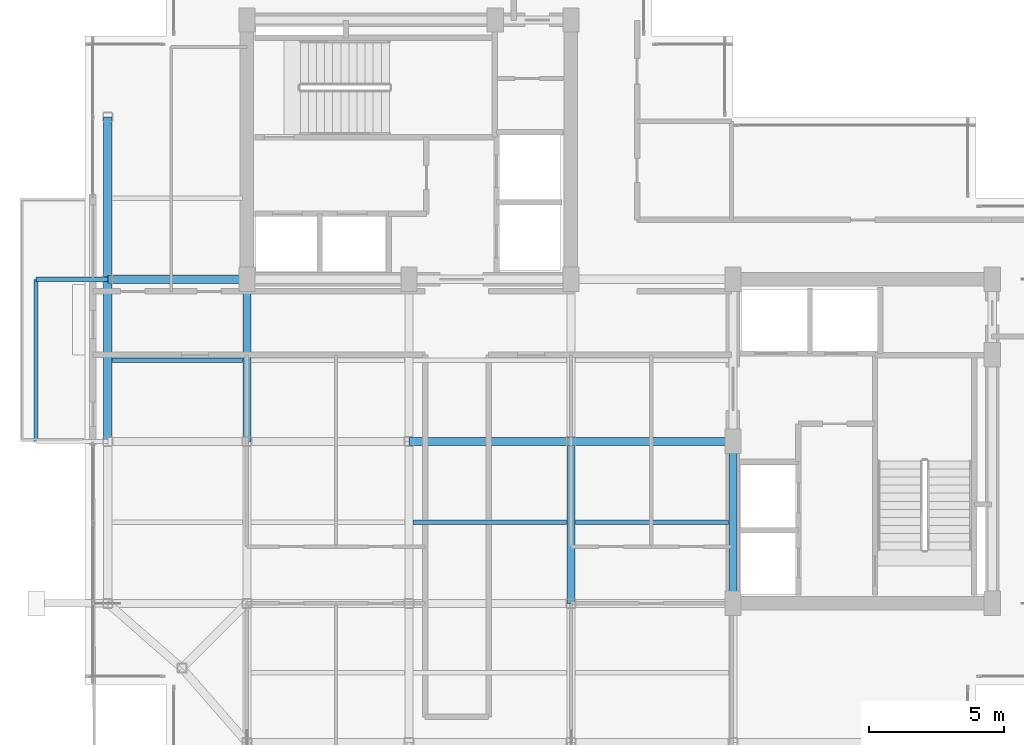
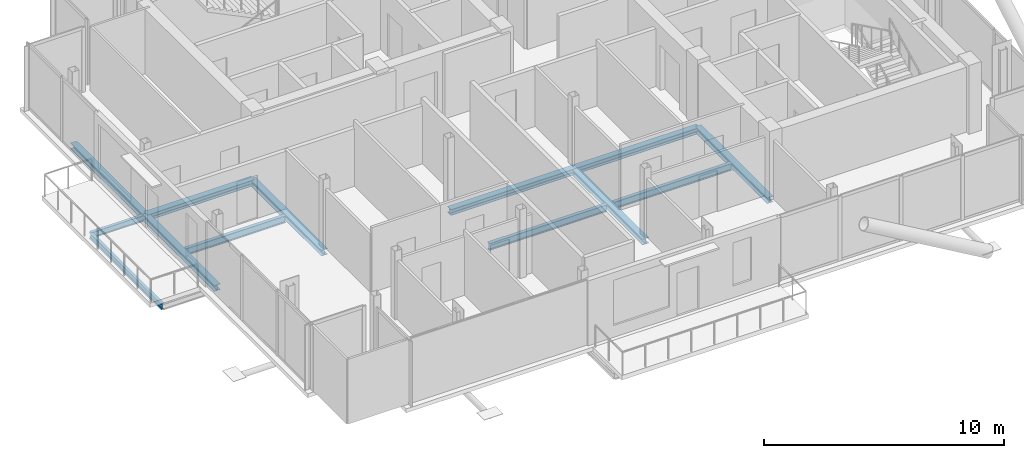
# One storey, part 6 of 18: 13 beams.
"""IFC4 building model written with IfcOpenShell, lengths in metres."""

from ifc_helpers import new_model, si_unit, direction, frame, origin, origin_2d, place, context, subcontext, project, spatial, i_section, extrude, material, material_profile, profile_set, type_object, element, save


model = new_model("IFC4")

# Units and contexts
model_context = context("Model", 3, precision=1e-05, world=origin(), true_north=direction((0.0, 1.0)))
body_context = subcontext(model_context, "Body", "Model", "MODEL_VIEW")
ifc_project = project(units=[si_unit("LENGTHUNIT", "METRE"), si_unit("AREAUNIT", "SQUARE_METRE"), si_unit("VOLUMEUNIT", "CUBIC_METRE"), si_unit("PLANEANGLEUNIT", "RADIAN"), si_unit("MASSUNIT", "GRAM", prefix="KILO"), si_unit("THERMODYNAMICTEMPERATUREUNIT", "KELVIN"), si_unit("POWERUNIT", "WATT")], contexts=[model_context])

# Site, building, storey
site_placement = place(None, origin())
site = spatial("IfcSite", under=ifc_project, at=site_placement, CompositionType="ELEMENT")
building_placement = place(site_placement, origin())
building = spatial("IfcBuilding", under=site, at=building_placement, Name="Svarakhadi Broadcast Tower", CompositionType="ELEMENT")
storey_placement = place(building_placement, frame((0.0, 0.0, 250.199951171875)))
storey = spatial("IfcBuildingStorey", under=building, at=storey_placement, Name="L62", CompositionType="ELEMENT", Elevation=250.199951171875)

# Beams
ifc_material = material(Name="Steel S355J2 (IS 2062 E350C)", Category="steel")
ifc_material_profile_1 = material_profile(ifc_material, i_section(OverallWidth=0.169921875, OverallDepth=0.360107421875, WebThickness=0.008056640625, FlangeThickness=0.0126953125, FilletRadius=0.01806640625, at=origin_2d()), Name="NPB 360x170x57")
ifc_profile_set_1 = profile_set([ifc_material_profile_1], Name="Steel S355J2 (IS 2062 E350C)")
beam_type_1 = type_object("IfcBeamType", Name="Beam_NPB360", PredefinedType="BEAM", material=ifc_profile_set_1)
beam_1_placement = place(storey_placement, frame((1.010009765625, 15.0, -0.3798828125), z_axis=(1.0, 0.0, 0.0), x_axis=(0.0, 1.0, 0.0)))
element("IfcBeam", 1, at=beam_1_placement, inside=storey, type_object=beam_type_1, Name="L62 Secondary Composite Beam SB002", PredefinedType="BEAM", context=body_context, shape_type="SweptSolid", body=[
    extrude(i_section(OverallWidth=0.169921875, OverallDepth=0.360107421875, WebThickness=0.008056640625, FlangeThickness=0.0126953125, FilletRadius=0.01806640625, at=origin_2d()), origin(), (0.0, 0.0, 1.0), 4.830078125),
])
for number, where, z_axis, x_axis, name in (
    (2, (12.159912109375, 9.0, -0.3798828125), (1.0, 0.0, 0.0), (0.0, 1.0, 0.0), "L62 Secondary Composite Beam SB008"),
    (3, (18.159912109375, 9.0, -0.3798828125), (1.0, 0.0, 0.0), (0.0, 1.0, 0.0), "L62 Secondary Composite Beam SB011"),
):
    element("IfcBeam", number, at=place(storey_placement, frame(where, z_axis=z_axis, x_axis=x_axis)), inside=storey, type_object=beam_type_1, Name=name, PredefinedType="BEAM", context=body_context, shape_type="SweptSolid", body=[
        extrude(i_section(OverallWidth=0.169921875, OverallDepth=0.360107421875, WebThickness=0.008056640625, FlangeThickness=0.0126953125, FilletRadius=0.01806640625, at=origin_2d()), origin(), (0.0, 0.0, 1.0), 5.68017578125),
    ])
ifc_material_profile_2 = material_profile(ifc_material, i_section(OverallWidth=0.300048828125, OverallDepth=0.300048828125, WebThickness=0.010986328125, FlangeThickness=0.01904296875, FilletRadius=0.027099609375, at=origin_2d()), Name="WPB 300x300x117")
ifc_profile_set_2 = profile_set([ifc_material_profile_2], Name="Steel S355J2 (IS 2062 E350C)")
beam_type_2 = type_object("IfcBeamType", Name="Girder_WPB300", PredefinedType="USERDEFINED", material=ifc_profile_set_2)
for number, where, z_axis, x_axis, name in (
    (4, (12.0, 12.0, -0.349853515625), (1.0, 0.0, 0.0), (0.0, 1.0, 0.0), "L62 Primary E-W Girder G015"),
    (5, (18.0, 12.0, -0.349853515625), (1.0, 0.0, 0.0), (0.0, 1.0, 0.0), "L62 Primary E-W Girder G016"),
):
    element("IfcBeam", number, at=place(storey_placement, frame(where, z_axis=z_axis, x_axis=x_axis)), inside=storey, type_object=beam_type_2, Name=name, ObjectType="GIRDER", PredefinedType="USERDEFINED", context=body_context, shape_type="SweptSolid", body=[
        extrude(i_section(OverallWidth=0.300048828125, OverallDepth=0.300048828125, WebThickness=0.010986328125, FlangeThickness=0.01904296875, FilletRadius=0.027099609375, at=origin_2d()), origin(), (0.0, 0.0, 1.0), 6.0),
    ])
beam_2_placement = place(storey_placement, frame((0.85009765625, 18.0, -0.349853515625), z_axis=(1.0, 0.0, 0.0), x_axis=(0.0, 1.0, 0.0)))
element("IfcBeam", 6, at=beam_2_placement, inside=storey, type_object=beam_type_2, Name="L62 Primary E-W Girder G017", ObjectType="GIRDER", PredefinedType="USERDEFINED", context=body_context, shape_type="SweptSolid", body=[
    extrude(i_section(OverallWidth=0.300048828125, OverallDepth=0.300048828125, WebThickness=0.010986328125, FlangeThickness=0.01904296875, FilletRadius=0.027099609375, at=origin_2d()), origin(), (0.0, 0.0, 1.0), 5.14990234375),
])
for number, where, z_axis, x_axis, name in (
    (7, (0.85009765625, 12.0, -0.349853515625), (0.0, 1.0, 0.0), (-1.0, 0.0, 0.0), "L62 Primary N-S Girder G027"),
    (8, (0.85009765625, 18.0, -0.349853515625), (0.0, 1.0, 0.0), (-1.0, 0.0, 0.0), "L62 Primary N-S Girder G028"),
    (9, (6.0, 12.0, -0.349853515625), (0.0, 1.0, 0.0), (-1.0, 0.0, 0.0), "L62 Primary N-S Girder G031"),
    (10, (18.0, 6.0, -0.349853515625), (0.0, 1.0, 0.0), (-1.0, 0.0, 0.0), "L62 Primary N-S Girder G037"),
    (11, (24.0, 6.0, -0.349853515625), (0.0, 1.0, 0.0), (-1.0, 0.0, 0.0), "L62 Primary N-S Girder G041"),
):
    element("IfcBeam", number, at=place(storey_placement, frame(where, z_axis=z_axis, x_axis=x_axis)), inside=storey, type_object=beam_type_2, Name=name, ObjectType="GIRDER", PredefinedType="USERDEFINED", context=body_context, shape_type="SweptSolid", body=[
        extrude(i_section(OverallWidth=0.300048828125, OverallDepth=0.300048828125, WebThickness=0.010986328125, FlangeThickness=0.01904296875, FilletRadius=0.027099609375, at=origin_2d()), origin(), (0.0, 0.0, 1.0), 6.0),
    ])
ifc_material_profile_3 = material_profile(ifc_material, i_section(OverallWidth=0.14990234375, OverallDepth=0.300048828125, WebThickness=0.007080078125, FlangeThickness=0.0107421875, FilletRadius=0.014892578125, at=origin_2d()), Name="NPB 300x150x37")
ifc_profile_set_3 = profile_set([ifc_material_profile_3], Name="Steel S355J2 (IS 2062 E350C)")
beam_type_3 = type_object("IfcBeamType", Name="Spandrel_NPB300", PredefinedType="SPANDREL", material=ifc_profile_set_3)
beam_3_placement = place(storey_placement, frame((0.85009765625, 18.0, -0.375), z_axis=(-1.0, 0.0, 0.0), x_axis=(0.0, -1.0, 0.0)))
element("IfcBeam", 12, at=beam_3_placement, inside=storey, type_object=beam_type_3, Name="L62 Balcony Cantilever Bracket 2B", PredefinedType="SPANDREL", context=body_context, shape_type="SweptSolid", body=[
    extrude(i_section(OverallWidth=0.14990234375, OverallDepth=0.300048828125, WebThickness=0.007080078125, FlangeThickness=0.0107421875, FilletRadius=0.014892578125, at=origin_2d()), origin(), (0.0, 0.0, 1.0), 2.650146484375),
])
beam_4_placement = place(storey_placement, frame((-1.800048828125, 12.0, -0.375), z_axis=(0.0, 1.0, 0.0), x_axis=(-1.0, 0.0, 0.0)))
element("IfcBeam", 13, at=beam_4_placement, inside=storey, type_object=beam_type_3, Name="L62 Balcony Outer Spandrel 2F", PredefinedType="SPANDREL", context=body_context, shape_type="SweptSolid", body=[
    extrude(i_section(OverallWidth=0.14990234375, OverallDepth=0.300048828125, WebThickness=0.007080078125, FlangeThickness=0.0107421875, FilletRadius=0.014892578125, at=origin_2d()), origin(), (0.0, 0.0, 1.0), 6.0),
])

save(model, "model.ifc")
